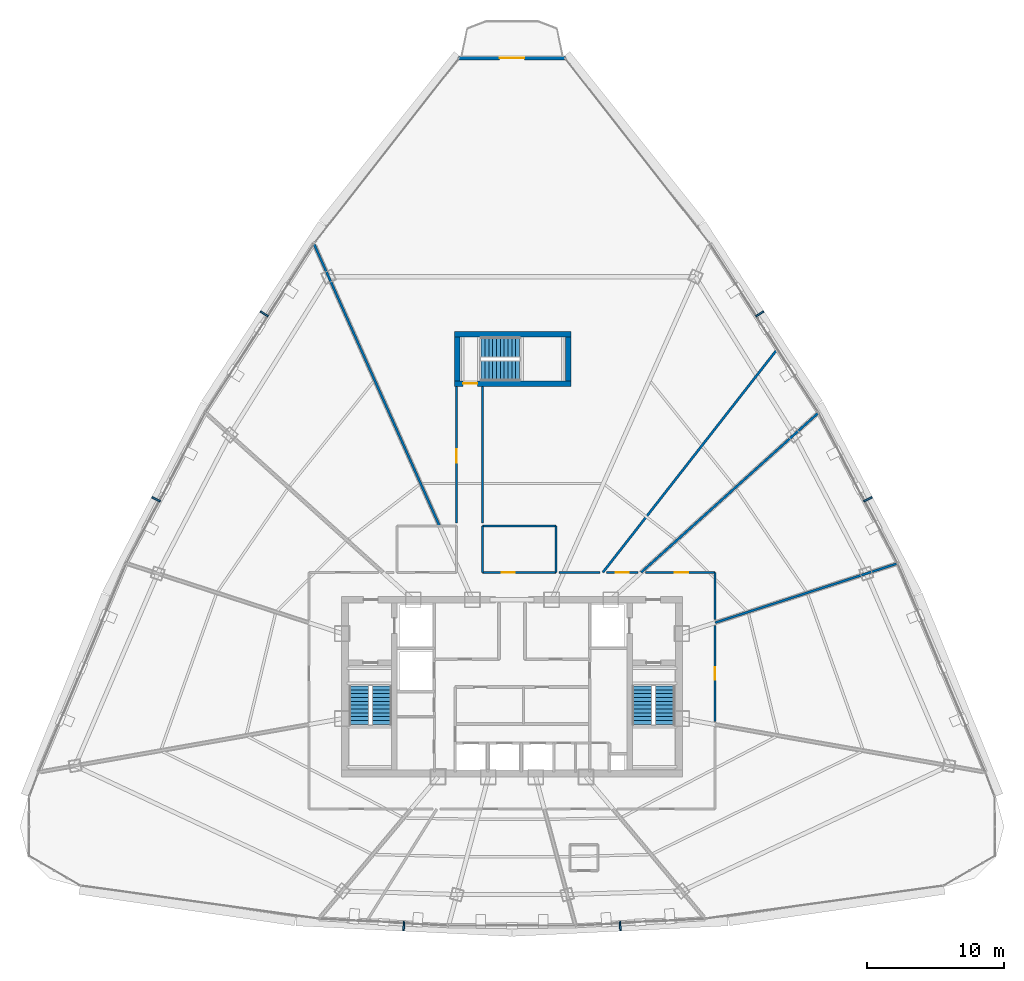
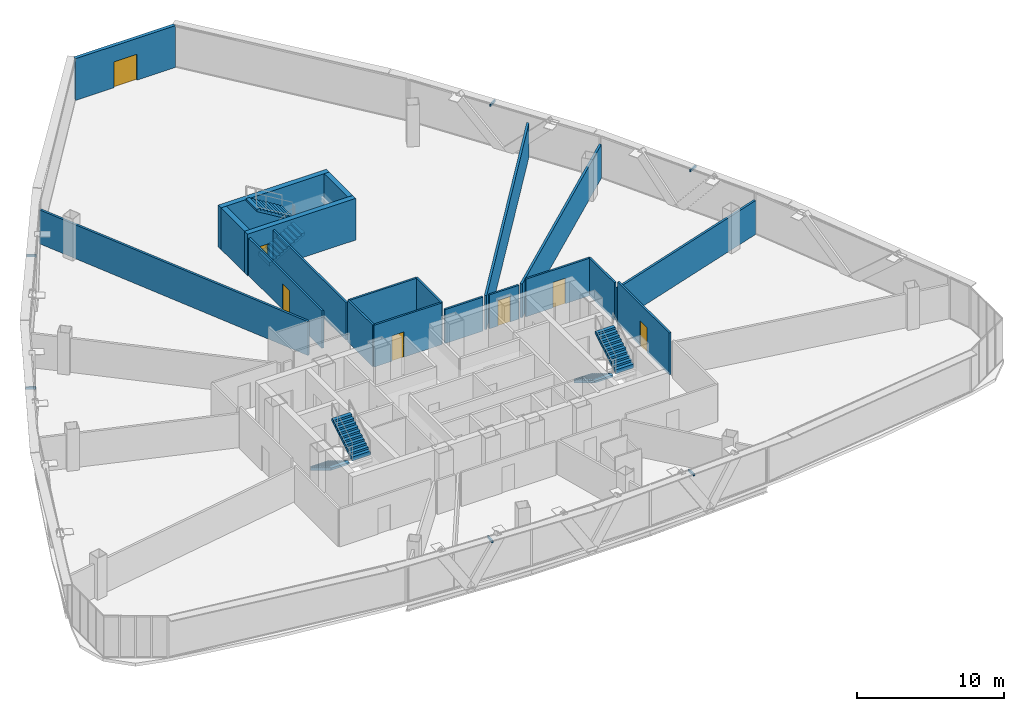
# One storey, part 32 of 36: 20 walls, 7 doors, 6 discrete accessories, 6 stair flights, 7 openings, 3 elements without a shape of their own.
"""IFC4 building model written with IfcOpenShell, lengths in metres."""

from ifc_helpers import new_model, si_unit, direction, frame, frame_2d, origin, origin_with_axes, origin_2d, place, context, subcontext, project, spatial, polyline, rectangle, outline, extrude, source, transform, mapped, material, layer, layer_set, type_object, element, fill, aggregate, save


model = new_model("IFC4")

# Units and contexts
model_context = context("Model", 3, precision=1e-05, world=origin(), true_north=direction((0.0, 1.0)))
body_context = subcontext(model_context, "Body", "Model", "MODEL_VIEW")
ifc_project = project(units=[si_unit("LENGTHUNIT", "METRE"), si_unit("AREAUNIT", "SQUARE_METRE"), si_unit("VOLUMEUNIT", "CUBIC_METRE"), si_unit("PLANEANGLEUNIT", "RADIAN"), si_unit("MASSUNIT", "GRAM", prefix="KILO"), si_unit("THERMODYNAMICTEMPERATUREUNIT", "KELVIN"), si_unit("POWERUNIT", "WATT")], contexts=[model_context])

# Site, building, storey
site_placement = place(None, origin())
site = spatial("IfcSite", under=ifc_project, at=site_placement, CompositionType="ELEMENT")
building_placement = place(site_placement, origin())
building = spatial("IfcBuilding", under=site, at=building_placement, Name="Yunzhuo Pagoda Commons", CompositionType="ELEMENT")
storey_placement = place(building_placement, frame((0.0, 0.0, 248.260009765625)))
storey = spatial("IfcBuildingStorey", under=building, at=storey_placement, Name="L62", CompositionType="ELEMENT", Elevation=248.260009765625)

# Wall, opening, door
ifc_material_1 = material(Name="Precast concrete C40", Category="concrete")
ifc_layer_1 = layer(ifc_material_1, 0.260009765625)
ifc_layer_set_1 = layer_set([ifc_layer_1], Name="Precast concrete C40")
wall_type_1 = type_object("IfcWallType", Name="W-BAL1 Corner Balcony Threshold Wall 260", PredefinedType="STANDARD", material=ifc_layer_set_1)
wall_1_placement = place(storey_placement, frame((51.923583984375, 79.7998046875, 0.0), z_axis=(0.0, 0.0, 1.0), x_axis=(-1.0, 0.0, 0.0)))
wall_1 = element("IfcWall", 1, at=wall_1_placement, inside=storey, type_object=wall_type_1, Name="L62 corner balcony wall V3", PredefinedType="STANDARD", context=body_context, shape_type="SweptSolid", body=[
    extrude(rectangle(XDim=7.84716796875, YDim=0.260009765625, at=frame_2d((3.923583984375, 0.0))), origin(), (0.0, 0.0, 1.0), 3.469970703125),
])
opening_1_placement = place(wall_1_placement, frame((3.023681640625, 0.0, 0.0)))
opening_1 = element("IfcOpeningElement", 2, at=opening_1_placement, cuts=wall_1, Name="Opening D-BAL1", PredefinedType="OPENING", context=body_context, shape_type="SweptSolid", body=[
    extrude(rectangle(XDim=1.800048828125, YDim=2.14990234375, at=frame_2d((0.89990234375, 1.074951171875))), frame((0.0, 0.14013671875, 0.0), z_axis=(0.0, -1.0, 0.0), x_axis=(1.0, 0.0, 0.0)), (0.0, 0.0, 1.0), 0.280029296875),
])
ifc_material_2 = material(Name="Anodized aluminium frame and tempered glazed leaf", Category="aluminium")
door_type_1 = type_object("IfcDoorType", Name="D-BAL1 Corner Balcony Sliding Glazed Door 1800x2150", OperationType="DOUBLE_DOOR_SLIDING", PredefinedType="DOOR", material=ifc_material_2)
shared_shape_1 = source(origin(), body_context, "Body", "SweptSolid", [
    extrude(rectangle(XDim=1.800048828125, YDim=2.14990234375, at=frame_2d((0.89990234375, 1.074951171875))), frame((0.0, 0.02490234375, 0.0), z_axis=(0.0, -1.0, 0.0), x_axis=(1.0, 0.0, 0.0)), (0.0, 0.0, 1.0), 0.050048828125),
])
door_1_placement = place(opening_1_placement, origin_with_axes())
door_1 = element("IfcDoor", 3, at=door_1_placement, inside=storey, type_object=door_type_1, Name="L62 corner balcony sliding door V3", OperationType="DOUBLE_DOOR_SLIDING", OverallHeight=2.14990234375, OverallWidth=1.800048828125, PredefinedType="DOOR", context=body_context, shape_type="MappedRepresentation", body=[
    mapped(shared_shape_1, transform((0.0, 0.0, 0.0), scale=1.0)),
])
fill(opening_1, door_1)

ifc_material_3 = material(Name="Gypsum plasterboard on acoustic stud")
ifc_layer_2 = layer(ifc_material_3, 0.14990234375)
ifc_layer_set_2 = layer_set([ifc_layer_2], Name="Gypsum plasterboard on acoustic stud")
wall_type_2 = type_object("IfcWallType", Name="W-COR3 High-Zone Rated Corridor Wall 150", PredefinedType="PARTITIONING", material=ifc_layer_set_2)
wall_2_placement = place(storey_placement, frame((45.85009765625, 42.199951171875, 0.0), z_axis=(0.0, 0.0, 1.0), x_axis=(1.0, 0.0, 0.0)))
wall_2 = element("IfcWall", 4, at=wall_2_placement, inside=storey, type_object=wall_type_2, Name="L62 interior wall IW-L62-TFES", PredefinedType="PARTITIONING", context=body_context, shape_type="SweptSolid", body=[
    extrude(rectangle(XDim=5.349853515625, YDim=0.14990234375, at=frame_2d((2.6748046875, 0.0))), origin(), (0.0, 0.0, 1.0), 3.469970703125),
])
opening_2_placement = place(wall_2_placement, frame((1.39990234375, 0.0, 0.0)))
opening_2 = element("IfcOpeningElement", 5, at=opening_2_placement, cuts=wall_2, Name="Opening D-11", PredefinedType="OPENING", context=body_context, shape_type="SweptSolid", body=[
    extrude(rectangle(XDim=0.93994140625, YDim=2.10009765625, at=frame_2d((0.469970703125, 1.050048828125))), frame((0.0, 0.0849609375, 0.0), z_axis=(0.0, -1.0, 0.0), x_axis=(1.0, 0.0, 0.0)), (0.0, 0.0, 1.0), 0.169921875),
])
ifc_material_4 = material(Name="Galvanized fire-resisting metal leaf")
door_type_2 = type_object("IfcDoorType", Name="D-11 Accessible Washroom Fire Door 940x2100", OperationType="NOTDEFINED", PredefinedType="DOOR", material=ifc_material_4)
shared_shape_2 = source(origin(), body_context, "Body", "SweptSolid", [
    extrude(rectangle(XDim=0.93994140625, YDim=2.10009765625, at=frame_2d((0.469970703125, 1.050048828125))), frame((0.0, 0.02490234375, 0.0), z_axis=(0.0, -1.0, 0.0), x_axis=(1.0, 0.0, 0.0)), (0.0, 0.0, 1.0), 0.050048828125),
])
door_2_placement = place(opening_2_placement, frame((0.93994140625, 0.0, 0.0), z_axis=(0.0, 0.0, 1.0), x_axis=(-1.0, 0.0, 0.0)))
door_2 = element("IfcDoor", 6, at=door_2_placement, inside=storey, type_object=door_type_2, Name="L62 accessible WC door", OperationType="SINGLE_SWING_RIGHT", OverallHeight=2.10009765625, OverallWidth=0.93994140625, PredefinedType="DOOR", context=body_context, shape_type="MappedRepresentation", body=[
    mapped(shared_shape_2, transform((0.0, 0.0, 0.0), scale=1.0)),
])
fill(opening_2, door_2)

# Walls
wall_3_placement = place(storey_placement, frame((45.85009765625, 45.60009765625, 0.0), z_axis=(0.0, 0.0, 1.0), x_axis=(1.0, 0.0, 0.0)))
element("IfcWall", 7, at=wall_3_placement, inside=storey, type_object=wall_type_2, Name="L62 interior wall IW-L62-TFEN", PredefinedType="PARTITIONING", context=body_context, shape_type="SweptSolid", body=[
    extrude(rectangle(XDim=5.349853515625, YDim=0.14990234375, at=frame_2d((2.6748046875, 0.0))), origin(), (0.0, 0.0, 1.0), 3.469970703125),
])
for number, where, z_axis, x_axis, name in (
    (8, (45.85009765625, 42.199951171875, 0.0), (0.0, 0.0, 1.0), (0.0, 1.0, 0.0), "L62 interior wall IW-L62-TFEW"),
    (9, (51.199951171875, 42.199951171875, 0.0), (0.0, 0.0, 1.0), (0.0, 1.0, 0.0), "L62 interior wall IW-L62-TFEE"),
):
    element("IfcWall", number, at=place(storey_placement, frame(where, z_axis=z_axis, x_axis=x_axis)), inside=storey, type_object=wall_type_2, Name=name, PredefinedType="PARTITIONING", context=body_context, shape_type="SweptSolid", body=[
        extrude(rectangle(XDim=3.400146484375, YDim=0.14990234375, at=frame_2d((1.7001953125, 0.0))), origin(), (0.0, 0.0, 1.0), 3.469970703125),
    ])

# Wall, opening, door
wall_4_placement = place(storey_placement, frame((43.949951171875, 45.820068359375, 0.0), z_axis=(0.0, 0.0, 1.0), x_axis=(0.0, 1.0, 0.0)))
wall_4 = element("IfcWall", 10, at=wall_4_placement, inside=storey, type_object=wall_type_2, Name="L62 interior wall IW-L62-CWL06", PredefinedType="PARTITIONING", context=body_context, shape_type="SweptSolid", body=[
    extrude(rectangle(XDim=9.9599609375, YDim=0.14990234375, at=frame_2d((4.97998046875, 0.0))), origin(), (0.0, 0.0, 1.0), 3.119873046875),
])
opening_3_placement = place(wall_4_placement, frame((4.39501953125, 0.0, 0.0)))
opening_3 = element("IfcOpeningElement", 11, at=opening_3_placement, cuts=wall_4, Name="Opening D-08", PredefinedType="OPENING", context=body_context, shape_type="SweptSolid", body=[
    extrude(rectangle(XDim=0.97998046875, YDim=2.1201171875, at=frame_2d((0.489990234375, 1.06005859375))), frame((0.0, 0.0849609375, 0.0), z_axis=(0.0, -1.0, 0.0), x_axis=(1.0, 0.0, 0.0)), (0.0, 0.0, 1.0), 0.169921875),
])
door_type_3 = type_object("IfcDoorType", Name="D-08 High-Zone Suite Entrance Fire Door 980x2120", OperationType="NOTDEFINED", PredefinedType="DOOR", material=ifc_material_4)
shared_shape_3 = source(origin(), body_context, "Body", "SweptSolid", [
    extrude(rectangle(XDim=0.97998046875, YDim=2.1201171875, at=frame_2d((0.489990234375, 1.06005859375))), frame((0.0, 0.02490234375, 0.0), z_axis=(0.0, -1.0, 0.0), x_axis=(1.0, 0.0, 0.0)), (0.0, 0.0, 1.0), 0.050048828125),
])
door_3_placement = place(opening_3_placement, origin_with_axes())
door_3 = element("IfcDoor", 12, at=door_3_placement, inside=storey, type_object=door_type_3, Name="L62 Shared Resident Kitchen and Pantry door", OperationType="SINGLE_SWING_LEFT", OverallHeight=2.1201171875, OverallWidth=0.97998046875, PredefinedType="DOOR", context=body_context, shape_type="MappedRepresentation", body=[
    mapped(shared_shape_3, transform((0.0, 0.0, 0.0), scale=1.0)),
])
fill(opening_3, door_3)

# Walls
wall_5_placement = place(storey_placement, frame((45.85009765625, 55.780029296875, 0.0), z_axis=(0.0, 0.0, 1.0), x_axis=(0.0, -1.0, 0.0)))
element("IfcWall", 13, at=wall_5_placement, inside=storey, type_object=wall_type_2, Name="L62 interior wall IW-L62-CWL07", PredefinedType="PARTITIONING", context=body_context, shape_type="SweptSolid", body=[
    extrude(rectangle(XDim=9.9599609375, YDim=0.14990234375, at=frame_2d((4.97998046875, 0.0))), origin(), (0.0, 0.0, 1.0), 3.119873046875),
])
wall_6_placement = place(storey_placement, frame((51.419921875, 42.199951171875, 0.0), z_axis=(0.0, 0.0, 1.0), x_axis=(1.0, 0.0, 0.0)))
element("IfcWall", 14, at=wall_6_placement, inside=storey, type_object=wall_type_2, Name="L62 interior wall IW-L62-CWL08", PredefinedType="PARTITIONING", context=body_context, shape_type="SweptSolid", body=[
    extrude(rectangle(XDim=3.001220703125, YDim=0.14990234375, at=frame_2d((1.50048828125, 0.0))), origin(), (0.0, 0.0, 1.0), 2.820068359375),
])

# Wall, opening, door
wall_7_placement = place(storey_placement, frame((54.920166015625, 42.199951171875, 0.0), z_axis=(0.0, 0.0, 1.0), x_axis=(1.0, 0.0, 0.0)))
wall_7 = element("IfcWall", 15, at=wall_7_placement, inside=storey, type_object=wall_type_2, Name="L62 interior wall IW-L62-CWL09", PredefinedType="PARTITIONING", context=body_context, shape_type="SweptSolid", body=[
    extrude(rectangle(XDim=2.30029296875, YDim=0.14990234375, at=frame_2d((1.150146484375, 0.0))), origin(), (0.0, 0.0, 1.0), 2.820068359375),
])
opening_4_placement = place(wall_7_placement, frame((0.6455078125, 0.0, 0.0)))
opening_4 = element("IfcOpeningElement", 16, at=opening_4_placement, cuts=wall_7, Name="Opening D-08", PredefinedType="OPENING", context=body_context, shape_type="SweptSolid", body=[
    extrude(rectangle(XDim=0.97998046875, YDim=2.1201171875, at=frame_2d((0.489990234375, 1.06005859375))), frame((0.0, 0.0849609375, 0.0), z_axis=(0.0, -1.0, 0.0), x_axis=(1.0, 0.0, 0.0)), (0.0, 0.0, 1.0), 0.169921875),
])
door_4_placement = place(opening_4_placement, origin_with_axes())
door_4 = element("IfcDoor", 17, at=door_4_placement, inside=storey, type_object=door_type_3, Name="L62 unit 03 entrance door", OperationType="SINGLE_SWING_RIGHT", OverallHeight=2.1201171875, OverallWidth=0.97998046875, PredefinedType="DOOR", context=body_context, shape_type="MappedRepresentation", body=[
    mapped(shared_shape_3, transform((0.0, 0.0, 0.0), scale=1.0)),
])
fill(opening_4, door_4)

wall_8_placement = place(storey_placement, frame((57.76904296875, 42.199951171875, 0.0), z_axis=(0.0, 0.0, 1.0), x_axis=(1.0, 0.0, 0.0)))
wall_8 = element("IfcWall", 18, at=wall_8_placement, inside=storey, type_object=wall_type_2, Name="L62 interior wall IW-L62-CWL10", PredefinedType="PARTITIONING", context=body_context, shape_type="SweptSolid", body=[
    extrude(rectangle(XDim=5.0810546875, YDim=0.14990234375, at=frame_2d((2.54052734375, 0.0))), origin(), (0.0, 0.0, 1.0), 3.119873046875),
])
opening_5_placement = place(wall_8_placement, frame((2.131103515625, 0.0, 0.0)))
opening_5 = element("IfcOpeningElement", 19, at=opening_5_placement, cuts=wall_8, Name="Opening D-08", PredefinedType="OPENING", context=body_context, shape_type="SweptSolid", body=[
    extrude(rectangle(XDim=0.97998046875, YDim=2.1201171875, at=frame_2d((0.489990234375, 1.06005859375))), frame((0.0, 0.0849609375, 0.0), z_axis=(0.0, -1.0, 0.0), x_axis=(1.0, 0.0, 0.0)), (0.0, 0.0, 1.0), 0.169921875),
])
door_5_placement = place(opening_5_placement, origin_with_axes())
door_5 = element("IfcDoor", 20, at=door_5_placement, inside=storey, type_object=door_type_3, Name="L62 unit 02 entrance door", OperationType="SINGLE_SWING_LEFT", OverallHeight=2.1201171875, OverallWidth=0.97998046875, PredefinedType="DOOR", context=body_context, shape_type="MappedRepresentation", body=[
    mapped(shared_shape_3, transform((0.0, 0.0, 0.0), scale=1.0)),
])
fill(opening_5, door_5)

# Wall
wall_9_placement = place(storey_placement, frame((62.85009765625, 42.199951171875, 0.0), z_axis=(0.0, 0.0, 1.0), x_axis=(0.0, -1.0, 0.0)))
element("IfcWall", 21, at=wall_9_placement, inside=storey, type_object=wall_type_2, Name="L62 interior wall IW-L62-CWL11", PredefinedType="PARTITIONING", context=body_context, shape_type="SweptSolid", body=[
    extrude(rectangle(XDim=3.443603515625, YDim=0.14990234375, at=frame_2d((1.7216796875, 0.0))), origin(), (0.0, 0.0, 1.0), 3.119873046875),
])

# Wall, opening, door
wall_10_placement = place(storey_placement, frame((62.85009765625, 38.305419921875, 0.0), z_axis=(0.0, 0.0, 1.0), x_axis=(0.0, -1.0, 0.0)))
wall_10 = element("IfcWall", 22, at=wall_10_placement, inside=storey, type_object=wall_type_2, Name="L62 interior wall IW-L62-CWL12", PredefinedType="PARTITIONING", context=body_context, shape_type="SweptSolid", body=[
    extrude(rectangle(XDim=7.004150390625, YDim=0.14990234375, at=frame_2d((3.501953125, 0.0))), origin(), (0.0, 0.0, 1.0), 3.469970703125),
])
opening_6_placement = place(wall_10_placement, frame((3.0419921875, 0.0, 0.0)))
opening_6 = element("IfcOpeningElement", 23, at=opening_6_placement, cuts=wall_10, Name="Opening D-04", PredefinedType="OPENING", context=body_context, shape_type="SweptSolid", body=[
    extrude(rectangle(XDim=0.919921875, YDim=2.10009765625, at=frame_2d((0.4599609375, 1.050048828125))), frame((0.0, 0.0849609375, 0.0), z_axis=(0.0, -1.0, 0.0), x_axis=(1.0, 0.0, 0.0)), (0.0, 0.0, 1.0), 0.169921875),
])
ifc_material_5 = material(Name="Powder-coated aluminium and timber acoustic leaf", Category="wood")
door_type_4 = type_object("IfcDoorType", Name="D-04 Bedroom & Study Interior Door 920x2100", OperationType="NOTDEFINED", PredefinedType="DOOR", material=ifc_material_5)
shared_shape_4 = source(origin(), body_context, "Body", "SweptSolid", [
    extrude(rectangle(XDim=0.919921875, YDim=2.10009765625, at=frame_2d((0.4599609375, 1.050048828125))), frame((0.0, 0.02490234375, 0.0), z_axis=(0.0, -1.0, 0.0), x_axis=(1.0, 0.0, 0.0)), (0.0, 0.0, 1.0), 0.050048828125),
])
door_6_placement = place(opening_6_placement, origin_with_axes())
door_6 = element("IfcDoor", 24, at=door_6_placement, inside=storey, type_object=door_type_4, Name="L62 seminar room 01 door", OperationType="SINGLE_SWING_RIGHT", OverallHeight=2.10009765625, OverallWidth=0.919921875, PredefinedType="DOOR", context=body_context, shape_type="MappedRepresentation", body=[
    mapped(shared_shape_4, transform((0.0, 0.0, 0.0), scale=1.0)),
])
fill(opening_6, door_6)

# Walls
ifc_layer_3 = layer(ifc_material_3, 0.169921875)
ifc_layer_set_3 = layer_set([ifc_layer_3], Name="Gypsum plasterboard on acoustic stud")
wall_type_3 = type_object("IfcWallType", Name="W-PRT4 High-Zone Demising Wall 170", PredefinedType="PARTITIONING", material=ifc_layer_set_3)
wall_11_placement = place(storey_placement, frame((62.85009765625, 38.525146484375, 0.0), z_axis=(0.0, 0.0, 1.0), x_axis=(0.951060404644, 0.309005027011, 0.0)))
element("IfcWall", 25, at=wall_11_placement, inside=storey, type_object=wall_type_3, Name="L62 interior wall IW-L62-RAD01", PredefinedType="PARTITIONING", context=body_context, shape_type="SweptSolid", body=[
    extrude(rectangle(XDim=14.031982421875, YDim=0.169921875, at=frame_2d((7.01611328125, 0.0))), origin(), (0.0, 0.0, 1.0), 2.820068359375),
])
wall_12_placement = place(storey_placement, frame((57.440185546875, 42.199951171875, 0.0), z_axis=(0.0, 0.0, 1.0), x_axis=(0.743140424774, 0.669135493802, 0.0)))
element("IfcWall", 26, at=wall_12_placement, inside=storey, type_object=wall_type_3, Name="L62 interior wall IW-L62-RAD02", PredefinedType="PARTITIONING", context=body_context, shape_type="SweptSolid", body=[
    extrude(rectangle(XDim=17.454833984375, YDim=0.169921875, at=frame_2d((8.7275390625, 0.0))), origin(), (0.0, 0.0, 1.0), 2.820068359375),
])
wall_13_placement = place(storey_placement, frame((54.640869140625, 42.199951171875, 0.0), z_axis=(0.0, 0.0, 1.0), x_axis=(0.615664824624, 0.788008136837, 0.0)))
element("IfcWall", 27, at=wall_13_placement, inside=storey, type_object=wall_type_3, Name="L62 interior wall IW-L62-RAD03", PredefinedType="PARTITIONING", context=body_context, shape_type="SweptSolid", body=[
    extrude(rectangle(XDim=20.74462890625, YDim=0.169921875, at=frame_2d((10.372314453125, 0.0))), origin(), (0.0, 0.0, 1.0), 2.820068359375),
])
wall_14_placement = place(storey_placement, frame((42.701904296875, 45.60009765625, 0.0), z_axis=(0.0, 0.0, 1.0), x_axis=(-0.406745472033, 0.913541526686, 0.0)))
element("IfcWall", 28, at=wall_14_placement, inside=storey, type_object=wall_type_3, Name="L62 interior wall IW-L62-RAD04", PredefinedType="PARTITIONING", context=body_context, shape_type="SweptSolid", body=[
    extrude(rectangle(XDim=22.573974609375, YDim=0.169921875, at=frame_2d((11.287109375, 0.0))), origin(), (0.0, 0.0, 1.0), 2.820068359375),
])
ifc_material_6 = material(Name="Concrete C60", Category="concrete")
ifc_layer_4 = layer(ifc_material_6, 0.39990234375)
ifc_layer_set_4 = layer_set([ifc_layer_4], Name="Concrete C60")
wall_type_4 = type_object("IfcWallType", Name="W-S01 Internal Core Shear Web 400", PredefinedType="SHEAR", material=ifc_layer_set_4)
wall_15_placement = place(storey_placement, frame((43.800048828125, 59.60009765625, 0.0), z_axis=(0.0, 0.0, 1.0), x_axis=(1.0, 0.0, 0.0)))
element("IfcWall", 29, at=wall_15_placement, inside=storey, type_object=wall_type_4, Name="L62 ST3 structural stair wall N", PredefinedType="SHEAR", context=body_context, shape_type="SweptSolid", body=[
    extrude(rectangle(XDim=8.5, YDim=0.39990234375, at=frame_2d((4.25, 0.0))), origin(), (0.0, 0.0, 1.0), 3.469970703125),
])

# Wall, opening, door
wall_16_placement = place(storey_placement, frame((43.800048828125, 56.0, 0.0), z_axis=(0.0, 0.0, 1.0), x_axis=(1.0, 0.0, 0.0)))
wall_16 = element("IfcWall", 30, at=wall_16_placement, inside=storey, type_object=wall_type_4, Name="L62 ST3 structural stair wall S", PredefinedType="SHEAR", context=body_context, shape_type="SweptSolid", body=[
    extrude(rectangle(XDim=8.5, YDim=0.39990234375, at=frame_2d((4.25, 0.0))), origin(), (0.0, 0.0, 1.0), 3.469970703125),
])
opening_7_placement = place(wall_16_placement, frame((0.6201171875, 0.0, 0.0)))
opening_7 = element("IfcOpeningElement", 31, at=opening_7_placement, cuts=wall_16, Name="Opening D-01", PredefinedType="OPENING", context=body_context, shape_type="SweptSolid", body=[
    extrude(rectangle(XDim=1.050048828125, YDim=2.10009765625, at=frame_2d((0.52490234375, 1.050048828125))), frame((0.0, 0.2099609375, 0.0), z_axis=(0.0, -1.0, 0.0), x_axis=(1.0, 0.0, 0.0)), (0.0, 0.0, 1.0), 0.419921875),
])
door_type_5 = type_object("IfcDoorType", Name="D-01 Smokeproof Stair Fire Door 1050x2100", OperationType="NOTDEFINED", PredefinedType="DOOR", material=ifc_material_4)
shared_shape_5 = source(origin(), body_context, "Body", "SweptSolid", [
    extrude(rectangle(XDim=1.050048828125, YDim=2.10009765625, at=frame_2d((0.52490234375, 1.050048828125))), frame((0.0, 0.02490234375, 0.0), z_axis=(0.0, -1.0, 0.0), x_axis=(1.0, 0.0, 0.0)), (0.0, 0.0, 1.0), 0.050048828125),
])
door_7_placement = place(opening_7_placement, frame((1.050048828125, 0.0, 0.0), z_axis=(0.0, 0.0, 1.0), x_axis=(-1.0, 0.0, 0.0)))
door_7 = element("IfcDoor", 32, at=door_7_placement, inside=storey, type_object=door_type_5, Name="L62 Stair ST3 fire door", OperationType="SINGLE_SWING_LEFT", OverallHeight=2.10009765625, OverallWidth=1.050048828125, PredefinedType="DOOR", context=body_context, shape_type="MappedRepresentation", body=[
    mapped(shared_shape_5, transform((0.0, 0.0, 0.0), scale=1.0)),
])
fill(opening_7, door_7)

# Walls
for number, where, z_axis, x_axis, name in (
    (33, (44.0, 56.199951171875, 0.0), (0.0, 0.0, 1.0), (0.0, 1.0, 0.0), "L62 ST3 structural stair wall W"),
    (34, (52.10009765625, 56.199951171875, 0.0), (0.0, 0.0, 1.0), (0.0, 1.0, 0.0), "L62 ST3 structural stair wall E"),
):
    element("IfcWall", number, at=place(storey_placement, frame(where, z_axis=z_axis, x_axis=x_axis)), inside=storey, type_object=wall_type_4, Name=name, PredefinedType="SHEAR", context=body_context, shape_type="SweptSolid", body=[
        extrude(rectangle(XDim=3.199951171875, YDim=0.39990234375, at=frame_2d((1.60009765625, 0.0))), origin(), (0.0, 0.0, 1.0), 3.469970703125),
    ])

# Stair, stair flights
ifc_material_7 = material(Name="Concrete C40", Category="concrete")
stair_type_1 = type_object("IfcStairType", Name="ST-C1 Core Smokeproof Stair ST1", PredefinedType="HALF_TURN_STAIR", material=ifc_material_7)
stair_1_placement = place(storey_placement, origin())
stair_1 = element("IfcStair", 35, at=stair_1_placement, inside=storey, type_object=stair_type_1, Name="L62 Core smokeproof stair ST1", PredefinedType="HALF_TURN_STAIR")
stair_flight_type_1 = type_object("IfcStairFlightType", Name="STF-C1 Core Stair Flight 1450", PredefinedType="STRAIGHT", material=ifc_material_7)
shared_shape_6 = source(origin(), body_context, "Body", "SweptSolid", [
    extrude(outline(polyline([(0.0, -0.14990234375), (0.0, 0.0), (0.0, 0.16943359375), (0.280029296875, 0.16943359375), (0.280029296875, 0.339111328125), (0.56005859375, 0.339111328125), (0.56005859375, 0.508544921875), (0.840087890625, 0.508544921875), (0.840087890625, 0.67822265625), (1.1201171875, 0.67822265625), (1.1201171875, 0.84765625), (1.39990234375, 0.84765625), (1.39990234375, 1.017333984375), (1.679931640625, 1.017333984375), (1.679931640625, 1.186767578125), (1.9599609375, 1.186767578125), (1.9599609375, 1.3564453125), (2.239990234375, 1.3564453125), (2.239990234375, 1.52587890625), (2.52001953125, 1.52587890625), (2.52001953125, 1.695556640625), (2.800048828125, 1.695556640625), (2.800048828125, 1.864990234375), (2.800048828125, 1.520263671875), (0.289306640625, 0.0), (0.050048828125, -0.14990234375), (0.0, -0.14990234375)])), frame((0.0, 0.72509765625, 0.0), z_axis=(0.0, -1.0, 0.0), x_axis=(1.0, 0.0, 0.0)), (0.0, 0.0, 1.0), 1.449951171875),
])
stair_flight_1_placement = place(storey_placement, frame((36.824951171875, 33.89990234375, 0.0), z_axis=(0.0, 0.0, 1.0), x_axis=(0.0, -1.0, 0.0)))
stair_flight_1 = element("IfcStairFlight", 36, at=stair_flight_1_placement, type_object=stair_flight_type_1, Name="ST1 flight 1", NumberOfRisers=11, NumberOfTreads=10, PredefinedType="STRAIGHT", RiserHeight=0.169545455, TreadLength=0.28, context=body_context, shape_type="MappedRepresentation", body=[
    mapped(shared_shape_6, transform((0.0, 0.0, 0.0), scale=1.0)),
])
stair_flight_2_placement = place(storey_placement, frame((38.47509765625, 31.10009765625, 1.864990234375), z_axis=(0.0, 0.0, 1.0), x_axis=(0.0, 1.0, 0.0)))
stair_flight_2 = element("IfcStairFlight", 37, at=stair_flight_2_placement, type_object=stair_flight_type_1, Name="ST1 flight 2", NumberOfRisers=11, NumberOfTreads=10, PredefinedType="STRAIGHT", RiserHeight=0.169545455, TreadLength=0.28, context=body_context, shape_type="MappedRepresentation", body=[
    mapped(shared_shape_6, transform((0.0, 0.0, 0.0), scale=1.0)),
])
aggregate(stair_1, [stair_flight_1, stair_flight_2])

stair_type_2 = type_object("IfcStairType", Name="ST-C2 Core Smokeproof Stair ST2", PredefinedType="HALF_TURN_STAIR", material=ifc_material_7)
stair_2_placement = place(storey_placement, origin())
stair_2 = element("IfcStair", 38, at=stair_2_placement, inside=storey, type_object=stair_type_2, Name="L62 Core smokeproof stair ST2", PredefinedType="HALF_TURN_STAIR")
stair_flight_type_2 = type_object("IfcStairFlightType", Name="STF-C2 Core Stair Flight 1460", PredefinedType="STRAIGHT", material=ifc_material_7)
stair_flight_3_placement = place(storey_placement, frame((57.52490234375, 33.89990234375, 0.0), z_axis=(0.0, 0.0, 1.0), x_axis=(0.0, -1.0, 0.0)))
stair_flight_3 = element("IfcStairFlight", 39, at=stair_flight_3_placement, type_object=stair_flight_type_2, Name="ST2 flight 1", NumberOfRisers=11, NumberOfTreads=10, PredefinedType="STRAIGHT", RiserHeight=0.169545455, TreadLength=0.28, context=body_context, shape_type="MappedRepresentation", body=[
    mapped(shared_shape_6, transform((0.0, 0.0, 0.0), scale=1.0)),
])
stair_flight_4_placement = place(storey_placement, frame((59.175048828125, 31.10009765625, 1.864990234375), z_axis=(0.0, 0.0, 1.0), x_axis=(0.0, 1.0, 0.0)))
stair_flight_4 = element("IfcStairFlight", 40, at=stair_flight_4_placement, type_object=stair_flight_type_2, Name="ST2 flight 2", NumberOfRisers=11, NumberOfTreads=10, PredefinedType="STRAIGHT", RiserHeight=0.169545455, TreadLength=0.28, context=body_context, shape_type="MappedRepresentation", body=[
    mapped(shared_shape_6, transform((0.0, 0.0, 0.0), scale=1.0)),
])
aggregate(stair_2, [stair_flight_3, stair_flight_4])

stair_type_3 = type_object("IfcStairType", Name="ST-C3 North Tower Smokeproof Stair ST3", PredefinedType="HALF_TURN_STAIR", material=ifc_material_7)
stair_3_placement = place(storey_placement, origin())
stair_3 = element("IfcStair", 41, at=stair_3_placement, inside=storey, type_object=stair_type_3, Name="L62 North tower smokeproof stair ST3", PredefinedType="HALF_TURN_STAIR")
stair_flight_type_3 = type_object("IfcStairFlightType", Name="STF-C3 North Stair Flight 1500", PredefinedType="STRAIGHT", material=ifc_material_7)
shared_shape_7 = source(origin(), body_context, "Body", "SweptSolid", [
    extrude(outline(polyline([(0.0, -0.14990234375), (0.0, 0.0), (0.0, 0.16943359375), (0.280029296875, 0.16943359375), (0.280029296875, 0.339111328125), (0.56005859375, 0.339111328125), (0.56005859375, 0.508544921875), (0.840087890625, 0.508544921875), (0.840087890625, 0.67822265625), (1.1201171875, 0.67822265625), (1.1201171875, 0.84765625), (1.39990234375, 0.84765625), (1.39990234375, 1.017333984375), (1.679931640625, 1.017333984375), (1.679931640625, 1.186767578125), (1.9599609375, 1.186767578125), (1.9599609375, 1.3564453125), (2.239990234375, 1.3564453125), (2.239990234375, 1.52587890625), (2.52001953125, 1.52587890625), (2.52001953125, 1.695556640625), (2.800048828125, 1.695556640625), (2.800048828125, 1.864990234375), (2.800048828125, 1.520263671875), (0.289306640625, 0.0), (0.050048828125, -0.14990234375), (0.0, -0.14990234375)])), frame((0.0, 0.75, 0.0), z_axis=(0.0, -1.0, 0.0), x_axis=(1.0, 0.0, 0.0)), (0.0, 0.0, 1.0), 1.5),
])
stair_flight_5_placement = place(storey_placement, frame((45.75, 56.949951171875, 0.0), z_axis=(0.0, 0.0, 1.0), x_axis=(1.0, 0.0, 0.0)))
stair_flight_5 = element("IfcStairFlight", 42, at=stair_flight_5_placement, type_object=stair_flight_type_3, Name="ST3 flight 1", NumberOfRisers=11, NumberOfTreads=10, PredefinedType="STRAIGHT", RiserHeight=0.169545455, TreadLength=0.28, context=body_context, shape_type="MappedRepresentation", body=[
    mapped(shared_shape_7, transform((0.0, 0.0, 0.0), scale=1.0)),
])
stair_flight_6_placement = place(storey_placement, frame((48.550048828125, 58.64990234375, 1.864990234375), z_axis=(0.0, 0.0, 1.0), x_axis=(-1.0, 0.0, 0.0)))
stair_flight_6 = element("IfcStairFlight", 43, at=stair_flight_6_placement, type_object=stair_flight_type_3, Name="ST3 flight 2", NumberOfRisers=11, NumberOfTreads=10, PredefinedType="STRAIGHT", RiserHeight=0.169545455, TreadLength=0.28, context=body_context, shape_type="MappedRepresentation", body=[
    mapped(shared_shape_7, transform((0.0, 0.0, 0.0), scale=1.0)),
])
aggregate(stair_3, [stair_flight_5, stair_flight_6])

# Discrete accessories
ifc_material_8 = material(Name="Anodized aluminium 6063-T6", Category="aluminium")
discrete_accessory_type = type_object("IfcDiscreteAccessoryType", Name="BK-SUN1 Sunshade Outrigger Bracket", PredefinedType="BRACKET", material=ifc_material_8)
shared_shape_8 = source(origin(), body_context, "Body", "SweptSolid", [
    extrude(rectangle(XDim=0.1201171875, YDim=0.679931640625, at=origin_2d()), origin(), (0.0, 0.0, 1.0), 0.179931640625),
])
for number, where, z_axis, x_axis, name in (
    (44, (40.091796875, 16.343017578125, 3.26025390625), (0.0, 0.0, 1.0), (0.998818043775, -0.04860571396, 0.0), "L62 sunshade outrigger bracket F1.2"),
    (45, (55.908203125, 16.343017578125, 3.26025390625), (0.0, 0.0, 1.0), (0.998818043775, 0.04860571396, 0.0), "L62 sunshade outrigger bracket F1.3"),
    (46, (74.02099609375, 47.55078125, 3.26025390625), (0.0, 0.0, 1.0), (-0.461206683033, 0.88729273384, 0.0), "L62 sunshade outrigger bracket F2.2"),
    (47, (66.112548828125, 61.0986328125, 3.26025390625), (0.0, 0.0, 1.0), (-0.545838756973, 0.837890238269, 0.0), "L62 sunshade outrigger bracket F2.3"),
    (48, (29.887451171875, 61.0986328125, 3.26025390625), (0.0, 0.0, 1.0), (-0.545838756973, -0.837890238269, 0.0), "L62 sunshade outrigger bracket F3.2"),
    (49, (21.97900390625, 47.55078125, 3.26025390625), (0.0, 0.0, 1.0), (-0.461206683033, -0.88729273384, 0.0), "L62 sunshade outrigger bracket F3.3"),
):
    element("IfcDiscreteAccessory", number, at=place(storey_placement, frame(where, z_axis=z_axis, x_axis=x_axis)), inside=storey, type_object=discrete_accessory_type, Name=name, PredefinedType="BRACKET", context=body_context, shape_type="MappedRepresentation", body=[
        mapped(shared_shape_8, transform((0.0, 0.0, 0.0), scale=1.0)),
    ])

save(model, "model.ifc")
